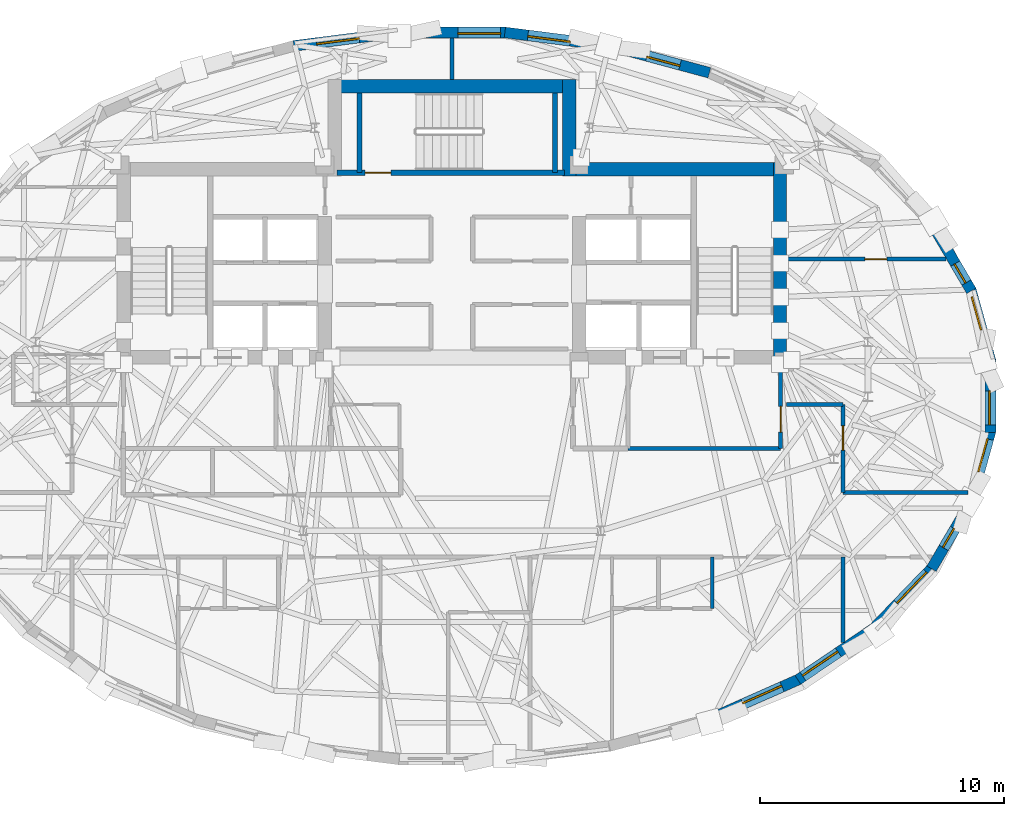
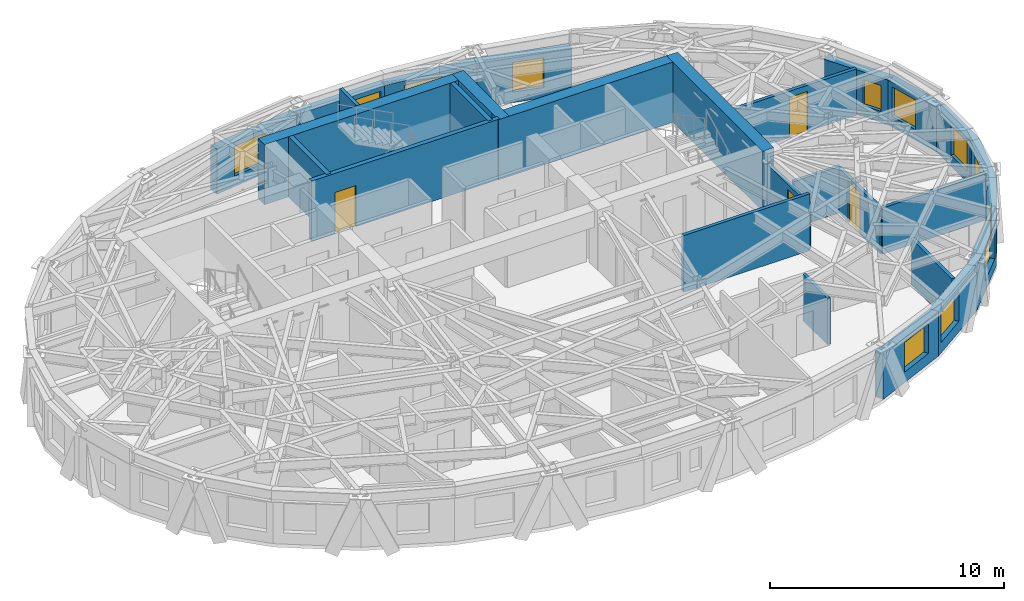
# One storey, part 9 of 13: 28 walls, 12 windows, 4 doors, 16 openings.
"""IFC4 building model written with IfcOpenShell, lengths in metres."""

from ifc_helpers import new_model, si_unit, direction, frame, frame_2d, origin, place, context, subcontext, project, spatial, rectangle, extrude, material, layer, layer_set, type_object, element, fill, save


model = new_model("IFC4")

# Units and contexts
model_context = context("Model", 3, precision=1e-05, world=origin(), true_north=direction((0.0, 1.0)))
body_context = subcontext(model_context, "Body", "Model", "MODEL_VIEW")
ifc_project = project(units=[si_unit("LENGTHUNIT", "METRE"), si_unit("AREAUNIT", "SQUARE_METRE"), si_unit("VOLUMEUNIT", "CUBIC_METRE"), si_unit("PLANEANGLEUNIT", "RADIAN"), si_unit("MASSUNIT", "GRAM", prefix="KILO")], contexts=[model_context])

# Site, building, storey
site_placement = place(None, origin())
site = spatial("IfcSite", under=ifc_project, at=site_placement, CompositionType="ELEMENT")
building_placement = place(site_placement, origin())
building = spatial("IfcBuilding", under=site, at=building_placement, Name="Keldmark Tower", CompositionType="ELEMENT")
storey_placement = place(building_placement, frame((0.0, 0.0, 232.050048828125)))
storey = spatial("IfcBuildingStorey", under=building, at=storey_placement, Name="L65", CompositionType="ELEMENT", Elevation=232.050048828125)

# Walls
ifc_material_1 = material(Name="Concrete C50/60", Category="concrete")
ifc_layer_1 = layer(ifc_material_1, 0.550048828125)
ifc_layer_set_1 = layer_set([ifc_layer_1], Name="Concrete C50/60")
wall_type_1 = type_object("IfcWallType", Name="High-Rise Core Shear Wall 550 mm", PredefinedType="SHEAR", material=ifc_layer_set_1)
wall_1_placement = place(storey_placement, frame((13.425048828125, 1.300048828125, 0.0), z_axis=(0.0, 0.0, 1.0), x_axis=(0.0, 1.0, 0.0)))
element("IfcWall", 1, at=wall_1_placement, inside=storey, type_object=wall_type_1, Name="L65 East Core Outer Shear Wall", PredefinedType="SHEAR", context=body_context, shape_type="SweptSolid", body=[
    extrude(rectangle(XDim=8.25, YDim=0.550048828125, at=frame_2d((4.125, 0.0))), origin(), (0.0, 0.0, 1.0), 3.14990234375),
])
wall_2_placement = place(storey_placement, frame((4.52490234375, 9.27490234375, 0.0), z_axis=(0.0, 0.0, 1.0), x_axis=(1.0, 0.0, 0.0)))
element("IfcWall", 2, at=wall_2_placement, inside=storey, type_object=wall_type_1, Name="L65 East Core North Shear Wall", PredefinedType="SHEAR", context=body_context, shape_type="SweptSolid", body=[
    extrude(rectangle(XDim=9.175048828125, YDim=0.550048828125, at=frame_2d((4.58740234375, 0.0))), origin(), (0.0, 0.0, 1.0), 3.14990234375),
])
wall_3_placement = place(storey_placement, frame((-5.074951171875, 12.675048828125, 0.0), z_axis=(0.0, 0.0, 1.0), x_axis=(1.0, 0.0, 0.0)))
element("IfcWall", 3, at=wall_3_placement, inside=storey, type_object=wall_type_1, Name="L65 North Core Shear Wall", PredefinedType="SHEAR", context=body_context, shape_type="SweptSolid", body=[
    extrude(rectangle(XDim=10.14990234375, YDim=0.550048828125, at=frame_2d((5.074951171875, 0.0))), origin(), (0.0, 0.0, 1.0), 3.14990234375),
])
wall_4_placement = place(storey_placement, frame((4.800048828125, 9.0, 0.0), z_axis=(0.0, 0.0, 1.0), x_axis=(0.0, 1.0, 0.0)))
element("IfcWall", 4, at=wall_4_placement, inside=storey, type_object=wall_type_1, Name="L65 North Core East Shear Wall", PredefinedType="SHEAR", context=body_context, shape_type="SweptSolid", body=[
    extrude(rectangle(XDim=3.949951171875, YDim=0.550048828125, at=frame_2d((1.97509765625, 0.0))), origin(), (0.0, 0.0, 1.0), 3.14990234375),
])
ifc_material_2 = material(Name="Type X Fire-Rated Gypsum Partition Assembly", Category="gypsum")
ifc_layer_2 = layer(ifc_material_2, 0.1650390625)
ifc_layer_set_2 = layer_set([ifc_layer_2], Name="Type X Fire-Rated Gypsum Partition Assembly")
wall_type_2 = type_object("IfcWallType", Name="Rated Partition 165 mm", PredefinedType="PARTITIONING", material=ifc_layer_set_2)
wall_5_placement = place(storey_placement, frame((7.199951171875, -2.14990234375, 0.0), z_axis=(0.0, 0.0, 1.0), x_axis=(1.0, 0.0, 0.0)))
element("IfcWall", 5, at=wall_5_placement, inside=storey, type_object=wall_type_2, Name="L65 Rated Partition 165 mm FSAE-E-S", PredefinedType="PARTITIONING", context=body_context, shape_type="SweptSolid", body=[
    extrude(rectangle(XDim=6.25, YDim=0.1650390625, at=frame_2d((3.125, 0.0))), origin(), (0.0, 0.0, 1.0), 2.969970703125),
])

# Wall, opening, door
wall_6_placement = place(storey_placement, frame((13.449951171875, -2.14990234375, 0.0), z_axis=(0.0, 0.0, 1.0), x_axis=(0.0, 1.0, 0.0)))
wall_6 = element("IfcWall", 6, at=wall_6_placement, inside=storey, type_object=wall_type_2, Name="L65 Rated Partition 165 mm FSAE-E-E", PredefinedType="PARTITIONING", context=body_context, shape_type="SweptSolid", body=[
    extrude(rectangle(XDim=3.5, YDim=0.1650390625, at=frame_2d((1.75, 0.0))), origin(), (0.0, 0.0, 1.0), 2.4228515625),
])
opening_1_placement = place(wall_6_placement, frame((0.669921875, 0.0, 0.0)))
opening_1 = element("IfcOpeningElement", 7, at=opening_1_placement, cuts=wall_6, Name="Opening D-FL105", PredefinedType="OPENING", context=body_context, shape_type="SweptSolid", body=[
    extrude(rectangle(XDim=1.050048828125, YDim=2.14990234375, at=frame_2d((0.52490234375, 1.074951171875))), frame((0.0, 0.092529296875, 0.0), z_axis=(0.0, -1.0, 0.0), x_axis=(1.0, 0.0, 0.0)), (0.0, 0.0, 1.0), 0.18505859375),
])
ifc_material_3 = material(Name="Fire-Rated Mineral-Core Door and Vision Lite", Category="metal")
door_type_1 = type_object("IfcDoorType", Name="Fire Lobby Door 1050x2150", OperationType="NOTDEFINED", PredefinedType="DOOR", material=ifc_material_3)
door_1_placement = place(opening_1_placement, origin())
door_1 = element("IfcDoor", 8, at=door_1_placement, inside=storey, type_object=door_type_1, Name="L65 Fire Lobby Door 1050x2150 D-FSAEE-OUT-L65", OperationType="SINGLE_SWING_RIGHT", OverallHeight=2.14990234375, OverallWidth=1.050048828125, PredefinedType="DOOR", context=body_context, shape_type="SweptSolid", body=[
    extrude(rectangle(XDim=1.050048828125, YDim=2.14990234375, at=frame_2d((0.52490234375, 1.074951171875))), frame((0.0, 0.02490234375, 0.0), z_axis=(0.0, -1.0, 0.0), x_axis=(1.0, 0.0, 0.0)), (0.0, 0.0, 1.0), 0.050048828125),
])
fill(opening_1, door_1)

# Wall
wall_7_placement = place(storey_placement, frame((16.0, -3.949951171875, 0.0), z_axis=(0.0, 0.0, 1.0), x_axis=(1.0, 0.0, 0.0)))
element("IfcWall", 9, at=wall_7_placement, inside=storey, type_object=wall_type_2, Name="L65 Rated Partition 165 mm RCOR-EN-OUT", PredefinedType="PARTITIONING", context=body_context, shape_type="SweptSolid", body=[
    extrude(rectangle(XDim=5.10986328125, YDim=0.1650390625, at=frame_2d((2.554931640625, 0.0))), origin(), (0.0, 0.0, 1.0), 2.4228515625),
])

# Wall, opening, door
wall_8_placement = place(storey_placement, frame((16.0, -3.949951171875, 0.0), z_axis=(0.0, 0.0, 1.0), x_axis=(0.0, 1.0, 0.0)))
wall_8 = element("IfcWall", 10, at=wall_8_placement, inside=storey, type_object=wall_type_2, Name="L65 Rated Partition 165 mm RCOR-VE", PredefinedType="PARTITIONING", context=body_context, shape_type="SweptSolid", body=[
    extrude(rectangle(XDim=3.599853515625, YDim=0.1650390625, at=frame_2d((1.7998046875, 0.0))), origin(), (0.0, 0.0, 1.0), 2.35693359375),
])
opening_2_placement = place(wall_8_placement, frame((1.72998046875, 0.0, 0.0)))
opening_2 = element("IfcOpeningElement", 11, at=opening_2_placement, cuts=wall_8, Name="Opening D-FD100", PredefinedType="OPENING", context=body_context, shape_type="SweptSolid", body=[
    extrude(rectangle(XDim=1.0, YDim=2.14990234375, at=frame_2d((0.5, 1.074951171875))), frame((0.0, 0.092529296875, 0.0), z_axis=(0.0, -1.0, 0.0), x_axis=(1.0, 0.0, 0.0)), (0.0, 0.0, 1.0), 0.18505859375),
])
ifc_material_4 = material(Name="Hollow Metal Fire-Rated Corridor Door", Category="metal")
door_type_2 = type_object("IfcDoorType", Name="Fire Door 1000x2150", OperationType="NOTDEFINED", PredefinedType="DOOR", material=ifc_material_4)
door_2_placement = place(opening_2_placement, origin())
door_2 = element("IfcDoor", 12, at=door_2_placement, inside=storey, type_object=door_type_2, Name="L65 Fire Door 1000x2150 D-REM1-L65", OperationType="SINGLE_SWING_RIGHT", OverallHeight=2.14990234375, OverallWidth=1.0, PredefinedType="DOOR", context=body_context, shape_type="SweptSolid", body=[
    extrude(rectangle(XDim=1.0, YDim=2.14990234375, at=frame_2d((0.5, 1.074951171875))), frame((0.0, 0.02490234375, 0.0), z_axis=(0.0, -1.0, 0.0), x_axis=(1.0, 0.0, 0.0)), (0.0, 0.0, 1.0), 0.050048828125),
])
fill(opening_2, door_2)

# Walls
wall_9_placement = place(storey_placement, frame((13.699951171875, -0.35009765625, 0.0), z_axis=(0.0, 0.0, 1.0), x_axis=(1.0, 0.0, 0.0)))
element("IfcWall", 13, at=wall_9_placement, inside=storey, type_object=wall_type_2, Name="L65 Rated Partition 165 mm RCOR-VEN", PredefinedType="PARTITIONING", context=body_context, shape_type="SweptSolid", body=[
    extrude(rectangle(XDim=2.300048828125, YDim=0.1650390625, at=frame_2d((1.14990234375, 0.0))), origin(), (0.0, 0.0, 1.0), 2.4228515625),
])
wall_10_placement = place(storey_placement, frame((0.0, 12.949951171875, 0.0), z_axis=(0.0, 0.0, 1.0), x_axis=(0.0, 1.0, 0.0)))
element("IfcWall", 14, at=wall_10_placement, inside=storey, type_object=wall_type_2, Name="L65 Rated Partition 165 mm RN-DIV", PredefinedType="PARTITIONING", context=body_context, shape_type="SweptSolid", body=[
    extrude(rectangle(XDim=1.69677734375, YDim=0.1650390625, at=frame_2d((0.848388671875, 0.0))), origin(), (0.0, 0.0, 1.0), 2.969970703125),
])

# Wall, opening, door
wall_11_placement = place(storey_placement, frame((13.699951171875, 5.60009765625, 0.0), z_axis=(0.0, 0.0, 1.0), x_axis=(1.0, 0.0, 0.0)))
wall_11 = element("IfcWall", 15, at=wall_11_placement, inside=storey, type_object=wall_type_2, Name="L65 Rated Partition 165 mm RE-NDIV", PredefinedType="PARTITIONING", context=body_context, shape_type="SweptSolid", body=[
    extrude(rectangle(XDim=6.527099609375, YDim=0.1650390625, at=frame_2d((3.263671875, 0.0))), origin(), (0.0, 0.0, 1.0), 2.4228515625),
])
opening_3_placement = place(wall_11_placement, frame((3.198974609375, 0.0, 0.0)))
opening_3 = element("IfcOpeningElement", 16, at=opening_3_placement, cuts=wall_11, Name="Opening D-IN090", PredefinedType="OPENING", context=body_context, shape_type="SweptSolid", body=[
    extrude(rectangle(XDim=0.89990234375, YDim=2.10009765625, at=frame_2d((0.449951171875, 1.050048828125))), frame((0.0, 0.092529296875, 0.0), z_axis=(0.0, -1.0, 0.0), x_axis=(1.0, 0.0, 0.0)), (0.0, 0.0, 1.0), 0.18505859375),
])
ifc_material_5 = material(Name="Stained American White Oak Veneer", Category="wood")
door_type_3 = type_object("IfcDoorType", Name="Interior Door 900x2100", OperationType="NOTDEFINED", PredefinedType="DOOR", material=ifc_material_5)
door_3_placement = place(opening_3_placement, origin())
door_3 = element("IfcDoor", 17, at=door_3_placement, inside=storey, type_object=door_type_3, Name="L65 Interior Door 900x2100 D-REN1-L65", OperationType="SINGLE_SWING_LEFT", OverallHeight=2.10009765625, OverallWidth=0.89990234375, PredefinedType="DOOR", context=body_context, shape_type="SweptSolid", body=[
    extrude(rectangle(XDim=0.89990234375, YDim=2.10009765625, at=frame_2d((0.449951171875, 1.050048828125))), frame((0.0, 0.02490234375, 0.0), z_axis=(0.0, -1.0, 0.0), x_axis=(1.0, 0.0, 0.0)), (0.0, 0.0, 1.0), 0.050048828125),
])
fill(opening_3, door_3)

# Wall
wall_12_placement = place(storey_placement, frame((16.0, -10.09521484375, 0.0), z_axis=(0.0, 0.0, 1.0), x_axis=(0.0, 1.0, 0.0)))
element("IfcWall", 18, at=wall_12_placement, inside=storey, type_object=wall_type_2, Name="L65 Rated Partition 165 mm RS-ECAP", PredefinedType="PARTITIONING", context=body_context, shape_type="SweptSolid", body=[
    extrude(rectangle(XDim=3.4951171875, YDim=0.1650390625, at=frame_2d((1.74755859375, 0.0))), origin(), (0.0, 0.0, 1.0), 2.4228515625),
])

# Wall, opening, door
ifc_material_6 = material(Name="Concrete C50/60", Category="concrete")
ifc_layer_3 = layer(ifc_material_6, 0.219970703125)
ifc_layer_set_3 = layer_set([ifc_layer_3], Name="Concrete C50/60")
wall_type_3 = type_object("IfcWallType", Name="Stair Core Shear Wall 220 mm", PredefinedType="SHEAR", material=ifc_layer_set_3)
wall_13_placement = place(storey_placement, frame((-4.699951171875, 9.139892578125, 0.0), z_axis=(0.0, 0.0, 1.0), x_axis=(1.0, 0.0, 0.0)))
wall_13 = element("IfcWall", 19, at=wall_13_placement, inside=storey, type_object=wall_type_3, Name="L65 Central Stair Core South Shear Wall", PredefinedType="SHEAR", context=body_context, shape_type="SweptSolid", body=[
    extrude(rectangle(XDim=9.300048828125, YDim=0.219970703125, at=frame_2d((4.64990234375, 0.0))), origin(), (0.0, 0.0, 1.0), 3.14990234375),
])
opening_4_placement = place(wall_13_placement, frame((1.14990234375, 0.0, 0.0)))
opening_4 = element("IfcOpeningElement", 20, at=opening_4_placement, cuts=wall_13, Name="Opening D-ST105", PredefinedType="OPENING", context=body_context, shape_type="SweptSolid", body=[
    extrude(rectangle(XDim=1.050048828125, YDim=2.14990234375, at=frame_2d((0.52490234375, 1.074951171875))), frame((0.0, 0.119873046875, 0.0), z_axis=(0.0, -1.0, 0.0), x_axis=(1.0, 0.0, 0.0)), (0.0, 0.0, 1.0), 0.239990234375),
])
ifc_material_7 = material(Name="Hollow Metal Fire-Rated Door Assembly", Category="metal")
door_type_4 = type_object("IfcDoorType", Name="Stair Fire Door 1050x2150", OperationType="NOTDEFINED", PredefinedType="DOOR", material=ifc_material_7)
door_4_placement = place(opening_4_placement, origin())
door_4 = element("IfcDoor", 21, at=door_4_placement, inside=storey, type_object=door_type_4, Name="L65 Stair Fire Door 1050x2150 D-ST3-L65", OperationType="SINGLE_SWING_LEFT", OverallHeight=2.14990234375, OverallWidth=1.050048828125, PredefinedType="DOOR", context=body_context, shape_type="SweptSolid", body=[
    extrude(rectangle(XDim=1.050048828125, YDim=2.14990234375, at=frame_2d((0.52490234375, 1.074951171875))), frame((0.0, 0.02490234375, 0.0), z_axis=(0.0, -1.0, 0.0), x_axis=(1.0, 0.0, 0.0)), (0.0, 0.0, 1.0), 0.050048828125),
])
fill(opening_4, door_4)

# Walls
for number, where, z_axis, x_axis, name in (
    (22, (-3.784912109375, 9.139892578125, 0.0), (0.0, 0.0, 1.0), (0.0, 1.0, 0.0), "L65 Central Stair Core West Shear Wall"),
    (23, (4.215087890625, 9.139892578125, 0.0), (0.0, 0.0, 1.0), (0.0, 1.0, 0.0), "L65 Central Stair Core East Shear Wall"),
):
    element("IfcWall", number, at=place(storey_placement, frame(where, z_axis=z_axis, x_axis=x_axis)), inside=storey, type_object=wall_type_3, Name=name, PredefinedType="SHEAR", context=body_context, shape_type="SweptSolid", body=[
        extrude(rectangle(XDim=3.260009765625, YDim=0.219970703125, at=frame_2d((1.6298828125, 0.0))), origin(), (0.0, 0.0, 1.0), 3.14990234375),
    ])

# Wall, opening, window
ifc_material_8 = material(Name="Ironspot Manganese Brick and Kasota Buff Limestone Spandrel Assembly", Category="masonry")
ifc_layer_4 = layer(ifc_material_8, 0.43994140625)
ifc_layer_set_4 = layer_set([ifc_layer_4], Name="Ironspot Manganese Brick and Kasota Buff Limestone Spandrel Assembly")
wall_type_4 = type_object("IfcWallType", Name="Tower Brick Pier and Spandrel Wall 440 mm", PredefinedType="STANDARD", material=ifc_layer_set_4)
wall_14_placement = place(storey_placement, frame((21.234619140625, 4.352783203125, 0.0), z_axis=(0.0, 0.0, 1.0), x_axis=(0.267714373586, -0.963498320795, 0.0)))
wall_14 = element("IfcWall", 24, at=wall_14_placement, inside=storey, type_object=wall_type_4, Name="L65 Exterior Brick and Spandrel Wall 01", PredefinedType="STANDARD", context=body_context, shape_type="SweptSolid", body=[
    extrude(rectangle(XDim=3.035888671875, YDim=0.43994140625, at=frame_2d((1.51806640625, 0.0))), origin(), (0.0, 0.0, 1.0), 2.3359375),
])
opening_5_placement = place(wall_14_placement, frame((0.298828125, 0.0, 0.550048828125)))
opening_5 = element("IfcOpeningElement", 25, at=opening_5_placement, cuts=wall_14, Name="Opening W-08", PredefinedType="OPENING", context=body_context, shape_type="SweptSolid", body=[
    extrude(rectangle(XDim=1.39990234375, YDim=1.550048828125, at=frame_2d((0.699951171875, 0.77490234375))), frame((0.0, 0.22998046875, 0.0), z_axis=(0.0, -1.0, 0.0), x_axis=(1.0, 0.0, 0.0)), (0.0, 0.0, 1.0), 0.4599609375),
])
ifc_material_9 = material(Name="Thermally Broken Anodized Aluminum and Triple Low-E Argon Glazing", Category="aluminium")
window_type_1 = type_object("IfcWindowType", Name="Residential Corner Punched Window 1400x1550", PartitioningType="SINGLE_PANEL", PredefinedType="WINDOW", material=ifc_material_9)
window_1_placement = place(opening_5_placement, origin())
window_1 = element("IfcWindow", 26, at=window_1_placement, inside=storey, type_object=window_type_1, Name="L65 Deep-Set Window 01", OverallHeight=1.550048828125, OverallWidth=1.39990234375, PartitioningType="SINGLE_PANEL", PredefinedType="WINDOW", context=body_context, shape_type="SweptSolid", body=[
    extrude(rectangle(XDim=1.39990234375, YDim=1.550048828125, at=frame_2d((0.699951171875, 0.77490234375))), frame((0.0, -0.010009765625, 0.0), z_axis=(0.0, -1.0, 0.0), x_axis=(1.0, 0.0, 0.0)), (0.0, 0.0, 1.0), 0.06005859375),
])
fill(opening_5, window_1)

wall_15_placement = place(storey_placement, frame((19.625732421875, 7.07080078125, 0.0), z_axis=(0.0, 0.0, 1.0), x_axis=(0.507308799926, -0.861764342218, 0.0)))
wall_15 = element("IfcWall", 27, at=wall_15_placement, inside=storey, type_object=wall_type_4, Name="L65 Exterior Brick and Spandrel Wall 02", PredefinedType="STANDARD", context=body_context, shape_type="SweptSolid", body=[
    extrude(rectangle(XDim=3.215087890625, YDim=0.43994140625, at=frame_2d((1.607421875, 0.0))), origin(), (0.0, 0.0, 1.0), 2.3359375),
])
opening_6_placement = place(wall_15_placement, frame((1.918701171875, 0.0, 0.580078125)))
opening_6 = element("IfcOpeningElement", 28, at=opening_6_placement, cuts=wall_15, Name="Opening W-09", PredefinedType="OPENING", context=body_context, shape_type="SweptSolid", body=[
    extrude(rectangle(XDim=0.89990234375, YDim=1.35009765625, at=frame_2d((0.449951171875, 0.675048828125))), frame((0.0, 0.22998046875, 0.0), z_axis=(0.0, -1.0, 0.0), x_axis=(1.0, 0.0, 0.0)), (0.0, 0.0, 1.0), 0.4599609375),
])
ifc_material_10 = material(Name="Thermally Broken Anodized Aluminum and Triple Low-E Argon Glazing", Category="aluminium")
window_type_2 = type_object("IfcWindowType", Name="Corner Pier Deep-Set Window 900x1350", PartitioningType="SINGLE_PANEL", PredefinedType="WINDOW", material=ifc_material_10)
window_2_placement = place(opening_6_placement, origin())
window_2 = element("IfcWindow", 29, at=window_2_placement, inside=storey, type_object=window_type_2, Name="L65 Deep-Set Window 02", OverallHeight=1.35009765625, OverallWidth=0.89990234375, PartitioningType="SINGLE_PANEL", PredefinedType="WINDOW", context=body_context, shape_type="SweptSolid", body=[
    extrude(rectangle(XDim=0.89990234375, YDim=1.35009765625, at=frame_2d((0.449951171875, 0.675048828125))), frame((0.0, -0.010009765625, 0.0), z_axis=(0.0, -1.0, 0.0), x_axis=(1.0, 0.0, 0.0)), (0.0, 0.0, 1.0), 0.06005859375),
])
fill(opening_6, window_2)

wall_16_placement = place(storey_placement, frame((6.4482421875, 14.331298828125, 0.0), z_axis=(0.0, 0.0, 1.0), x_axis=(0.965250622562, -0.261325918429, 0.0)))
wall_16 = element("IfcWall", 30, at=wall_16_placement, inside=storey, type_object=wall_type_4, Name="L65 Exterior Brick and Spandrel Wall 06", PredefinedType="STANDARD", context=body_context, shape_type="SweptSolid", body=[
    extrude(rectangle(XDim=4.233154296875, YDim=0.43994140625, at=frame_2d((2.11669921875, 0.0))), origin(), (0.0, 0.0, 1.0), 2.3359375),
])
opening_7_placement = place(wall_16_placement, frame((1.59033203125, 0.0, 0.550048828125)))
opening_7 = element("IfcOpeningElement", 31, at=opening_7_placement, cuts=wall_16, Name="Opening W-08", PredefinedType="OPENING", context=body_context, shape_type="SweptSolid", body=[
    extrude(rectangle(XDim=1.39990234375, YDim=1.550048828125, at=frame_2d((0.699951171875, 0.77490234375))), frame((0.0, 0.22998046875, 0.0), z_axis=(0.0, -1.0, 0.0), x_axis=(1.0, 0.0, 0.0)), (0.0, 0.0, 1.0), 0.4599609375),
])
window_3_placement = place(opening_7_placement, origin())
window_3 = element("IfcWindow", 32, at=window_3_placement, inside=storey, type_object=window_type_1, Name="L65 Deep-Set Window 06", OverallHeight=1.550048828125, OverallWidth=1.39990234375, PartitioningType="SINGLE_PANEL", PredefinedType="WINDOW", context=body_context, shape_type="SweptSolid", body=[
    extrude(rectangle(XDim=1.39990234375, YDim=1.550048828125, at=frame_2d((0.699951171875, 0.77490234375))), frame((0.0, -0.010009765625, 0.0), z_axis=(0.0, -1.0, 0.0), x_axis=(1.0, 0.0, 0.0)), (0.0, 0.0, 1.0), 0.06005859375),
])
fill(opening_7, window_3)

wall_17_placement = place(storey_placement, frame((2.164306640625, 14.876708984375, 0.0), z_axis=(0.0, 0.0, 1.0), x_axis=(0.991932064275, -0.126770579643, 0.0)))
wall_17 = element("IfcWall", 33, at=wall_17_placement, inside=storey, type_object=wall_type_4, Name="L65 Exterior Brick and Spandrel Wall 07", PredefinedType="STANDARD", context=body_context, shape_type="SweptSolid", body=[
    extrude(rectangle(XDim=4.3486328125, YDim=0.43994140625, at=frame_2d((2.17431640625, 0.0))), origin(), (0.0, 0.0, 1.0), 2.3359375),
])
opening_8_placement = place(wall_17_placement, frame((0.949462890625, 0.0, 0.550048828125)))
opening_8 = element("IfcOpeningElement", 34, at=opening_8_placement, cuts=wall_17, Name="Opening W-05", PredefinedType="OPENING", context=body_context, shape_type="SweptSolid", body=[
    extrude(rectangle(XDim=1.75, YDim=1.550048828125, at=frame_2d((0.875, 0.77490234375))), frame((0.0, 0.22998046875, 0.0), z_axis=(0.0, -1.0, 0.0), x_axis=(1.0, 0.0, 0.0)), (0.0, 0.0, 1.0), 0.4599609375),
])
ifc_material_11 = material(Name="Thermally Broken Anodized Aluminum and Triple Low-E Argon Glazing", Category="aluminium")
window_type_3 = type_object("IfcWindowType", Name="Residential Deep-Set Window 1750x1550", PartitioningType="DOUBLE_PANEL_VERTICAL", PredefinedType="WINDOW", material=ifc_material_11)
window_4_placement = place(opening_8_placement, origin())
window_4 = element("IfcWindow", 35, at=window_4_placement, inside=storey, type_object=window_type_3, Name="L65 Deep-Set Window 07", OverallHeight=1.550048828125, OverallWidth=1.75, PartitioningType="SINGLE_PANEL", PredefinedType="WINDOW", context=body_context, shape_type="SweptSolid", body=[
    extrude(rectangle(XDim=1.75, YDim=1.550048828125, at=frame_2d((0.875, 0.77490234375))), frame((0.0, -0.010009765625, 0.0), z_axis=(0.0, -1.0, 0.0), x_axis=(1.0, 0.0, 0.0)), (0.0, 0.0, 1.0), 0.06005859375),
])
fill(opening_8, window_4)

wall_18_placement = place(storey_placement, frame((-2.1923828125, 14.874755859375, 0.0), z_axis=(0.0, 0.0, 1.0), x_axis=(1.0, 0.0, 0.0)))
wall_18 = element("IfcWall", 36, at=wall_18_placement, inside=storey, type_object=wall_type_4, Name="L65 Exterior Brick and Spandrel Wall 08", PredefinedType="STANDARD", context=body_context, shape_type="SweptSolid", body=[
    extrude(rectangle(XDim=4.384765625, YDim=0.43994140625, at=frame_2d((2.1923828125, 0.0))), origin(), (0.0, 0.0, 1.0), 2.3359375),
])
opening_9_placement = place(wall_18_placement, frame((2.4345703125, 0.0, 0.550048828125)))
opening_9 = element("IfcOpeningElement", 37, at=opening_9_placement, cuts=wall_18, Name="Opening W-05", PredefinedType="OPENING", context=body_context, shape_type="SweptSolid", body=[
    extrude(rectangle(XDim=1.75, YDim=1.550048828125, at=frame_2d((0.875, 0.77490234375))), frame((0.0, 0.22998046875, 0.0), z_axis=(0.0, -1.0, 0.0), x_axis=(1.0, 0.0, 0.0)), (0.0, 0.0, 1.0), 0.4599609375),
])
window_5_placement = place(opening_9_placement, origin())
window_5 = element("IfcWindow", 38, at=window_5_placement, inside=storey, type_object=window_type_3, Name="L65 Deep-Set Window 08", OverallHeight=1.550048828125, OverallWidth=1.75, PartitioningType="SINGLE_PANEL", PredefinedType="WINDOW", context=body_context, shape_type="SweptSolid", body=[
    extrude(rectangle(XDim=1.75, YDim=1.550048828125, at=frame_2d((0.875, 0.77490234375))), frame((0.0, -0.010009765625, 0.0), z_axis=(0.0, -1.0, 0.0), x_axis=(1.0, 0.0, 0.0)), (0.0, 0.0, 1.0), 0.06005859375),
])
fill(opening_9, window_5)

wall_19_placement = place(storey_placement, frame((-6.477783203125, 14.325439453125, 0.0), z_axis=(0.0, 0.0, 1.0), x_axis=(0.991932064275, 0.126770579643, 0.0)))
wall_19 = element("IfcWall", 39, at=wall_19_placement, inside=storey, type_object=wall_type_4, Name="L65 Exterior Brick and Spandrel Wall 09", PredefinedType="STANDARD", context=body_context, shape_type="SweptSolid", body=[
    extrude(rectangle(XDim=4.3486328125, YDim=0.43994140625, at=frame_2d((2.17431640625, 0.0))), origin(), (0.0, 0.0, 1.0), 2.3359375),
])
opening_10_placement = place(wall_19_placement, frame((0.949462890625, 0.0, 0.550048828125)))
opening_10 = element("IfcOpeningElement", 40, at=opening_10_placement, cuts=wall_19, Name="Opening W-05", PredefinedType="OPENING", context=body_context, shape_type="SweptSolid", body=[
    extrude(rectangle(XDim=1.75, YDim=1.550048828125, at=frame_2d((0.875, 0.77490234375))), frame((0.0, 0.22998046875, 0.0), z_axis=(0.0, -1.0, 0.0), x_axis=(1.0, 0.0, 0.0)), (0.0, 0.0, 1.0), 0.4599609375),
])
window_6_placement = place(opening_10_placement, origin())
window_6 = element("IfcWindow", 41, at=window_6_placement, inside=storey, type_object=window_type_3, Name="L65 Deep-Set Window 09", OverallHeight=1.550048828125, OverallWidth=1.75, PartitioningType="SINGLE_PANEL", PredefinedType="WINDOW", context=body_context, shape_type="SweptSolid", body=[
    extrude(rectangle(XDim=1.75, YDim=1.550048828125, at=frame_2d((0.875, 0.77490234375))), frame((0.0, -0.010009765625, 0.0), z_axis=(0.0, -1.0, 0.0), x_axis=(1.0, 0.0, 0.0)), (0.0, 0.0, 1.0), 0.06005859375),
])
fill(opening_10, window_6)

wall_20_placement = place(storey_placement, frame((14.19287109375, -11.600341796875, 0.0), z_axis=(0.0, 0.0, 1.0), x_axis=(-0.914197700285, -0.405268509501, 0.0)))
wall_20 = element("IfcWall", 42, at=wall_20_placement, inside=storey, type_object=wall_type_4, Name="L65 Exterior Brick and Spandrel Wall 27", PredefinedType="STANDARD", context=body_context, shape_type="SweptSolid", body=[
    extrude(rectangle(XDim=4.036865234375, YDim=0.43994140625, at=frame_2d((2.0185546875, 0.0))), origin(), (0.0, 0.0, 1.0), 2.3359375),
])
opening_11_placement = place(wall_20_placement, frame((0.74609375, 0.0, 0.550048828125)))
opening_11 = element("IfcOpeningElement", 43, at=opening_11_placement, cuts=wall_20, Name="Opening W-05", PredefinedType="OPENING", context=body_context, shape_type="SweptSolid", body=[
    extrude(rectangle(XDim=1.75, YDim=1.550048828125, at=frame_2d((0.875, 0.77490234375))), frame((0.0, 0.22998046875, 0.0), z_axis=(0.0, -1.0, 0.0), x_axis=(1.0, 0.0, 0.0)), (0.0, 0.0, 1.0), 0.4599609375),
])
window_7_placement = place(opening_11_placement, origin())
window_7 = element("IfcWindow", 44, at=window_7_placement, inside=storey, type_object=window_type_3, Name="L65 Deep-Set Window 27", OverallHeight=1.550048828125, OverallWidth=1.75, PartitioningType="SINGLE_PANEL", PredefinedType="WINDOW", context=body_context, shape_type="SweptSolid", body=[
    extrude(rectangle(XDim=1.75, YDim=1.550048828125, at=frame_2d((0.875, 0.77490234375))), frame((0.0, -0.010009765625, 0.0), z_axis=(0.0, -1.0, 0.0), x_axis=(1.0, 0.0, 0.0)), (0.0, 0.0, 1.0), 0.06005859375),
])
fill(opening_11, window_7)

wall_21_placement = place(storey_placement, frame((17.279296875, -9.503173828125, 0.0), z_axis=(0.0, 0.0, 1.0), x_axis=(-0.827641205742, -0.56125754744, 0.0)))
wall_21 = element("IfcWall", 45, at=wall_21_placement, inside=storey, type_object=wall_type_4, Name="L65 Exterior Brick and Spandrel Wall 28", PredefinedType="STANDARD", context=body_context, shape_type="SweptSolid", body=[
    extrude(rectangle(XDim=3.7705078125, YDim=0.43994140625, at=frame_2d((1.88525390625, 0.0))), origin(), (0.0, 0.0, 1.0), 2.3359375),
])
opening_12_placement = place(wall_21_placement, frame((1.771484375, 0.0, 0.550048828125)))
opening_12 = element("IfcOpeningElement", 46, at=opening_12_placement, cuts=wall_21, Name="Opening W-05", PredefinedType="OPENING", context=body_context, shape_type="SweptSolid", body=[
    extrude(rectangle(XDim=1.75, YDim=1.550048828125, at=frame_2d((0.875, 0.77490234375))), frame((0.0, 0.22998046875, 0.0), z_axis=(0.0, -1.0, 0.0), x_axis=(1.0, 0.0, 0.0)), (0.0, 0.0, 1.0), 0.4599609375),
])
window_8_placement = place(opening_12_placement, origin())
window_8 = element("IfcWindow", 47, at=window_8_placement, inside=storey, type_object=window_type_3, Name="L65 Deep-Set Window 28", OverallHeight=1.550048828125, OverallWidth=1.75, PartitioningType="SINGLE_PANEL", PredefinedType="WINDOW", context=body_context, shape_type="SweptSolid", body=[
    extrude(rectangle(XDim=1.75, YDim=1.550048828125, at=frame_2d((0.875, 0.77490234375))), frame((0.0, -0.010009765625, 0.0), z_axis=(0.0, -1.0, 0.0), x_axis=(1.0, 0.0, 0.0)), (0.0, 0.0, 1.0), 0.06005859375),
])
fill(opening_12, window_8)

wall_22_placement = place(storey_placement, frame((19.656982421875, -7.02978515625, 0.0), z_axis=(0.0, 0.0, 1.0), x_axis=(-0.694030285144, -0.71994580581, 0.0)))
wall_22 = element("IfcWall", 48, at=wall_22_placement, inside=storey, type_object=wall_type_4, Name="L65 Exterior Brick and Spandrel Wall 29", PredefinedType="STANDARD", context=body_context, shape_type="SweptSolid", body=[
    extrude(rectangle(XDim=3.476318359375, YDim=0.43994140625, at=frame_2d((1.73828125, 0.0))), origin(), (0.0, 0.0, 1.0), 2.3359375),
])
opening_13_placement = place(wall_22_placement, frame((0.298095703125, 0.0, 0.550048828125)))
opening_13 = element("IfcOpeningElement", 49, at=opening_13_placement, cuts=wall_22, Name="Opening W-05", PredefinedType="OPENING", context=body_context, shape_type="SweptSolid", body=[
    extrude(rectangle(XDim=1.75, YDim=1.550048828125, at=frame_2d((0.875, 0.77490234375))), frame((0.0, 0.22998046875, 0.0), z_axis=(0.0, -1.0, 0.0), x_axis=(1.0, 0.0, 0.0)), (0.0, 0.0, 1.0), 0.4599609375),
])
window_9_placement = place(opening_13_placement, origin())
window_9 = element("IfcWindow", 50, at=window_9_placement, inside=storey, type_object=window_type_3, Name="L65 Deep-Set Window 29", OverallHeight=1.550048828125, OverallWidth=1.75, PartitioningType="SINGLE_PANEL", PredefinedType="WINDOW", context=body_context, shape_type="SweptSolid", body=[
    extrude(rectangle(XDim=1.75, YDim=1.550048828125, at=frame_2d((0.875, 0.77490234375))), frame((0.0, -0.010009765625, 0.0), z_axis=(0.0, -1.0, 0.0), x_axis=(1.0, 0.0, 0.0)), (0.0, 0.0, 1.0), 0.06005859375),
])
fill(opening_13, window_9)

wall_23_placement = place(storey_placement, frame((21.2568359375, -4.300048828125, 0.0), z_axis=(0.0, 0.0, 1.0), x_axis=(-0.507308799926, -0.861764342218, 0.0)))
wall_23 = element("IfcWall", 51, at=wall_23_placement, inside=storey, type_object=wall_type_4, Name="L65 Exterior Brick and Spandrel Wall 30", PredefinedType="STANDARD", context=body_context, shape_type="SweptSolid", body=[
    extrude(rectangle(XDim=3.215087890625, YDim=0.43994140625, at=frame_2d((1.607421875, 0.0))), origin(), (0.0, 0.0, 1.0), 2.3359375),
])
opening_14_placement = place(wall_23_placement, frame((1.32958984375, 0.0, 0.580078125)))
opening_14 = element("IfcOpeningElement", 52, at=opening_14_placement, cuts=wall_23, Name="Opening W-09", PredefinedType="OPENING", context=body_context, shape_type="SweptSolid", body=[
    extrude(rectangle(XDim=0.89990234375, YDim=1.35009765625, at=frame_2d((0.449951171875, 0.675048828125))), frame((0.0, 0.22998046875, 0.0), z_axis=(0.0, -1.0, 0.0), x_axis=(1.0, 0.0, 0.0)), (0.0, 0.0, 1.0), 0.4599609375),
])
window_10_placement = place(opening_14_placement, origin())
window_10 = element("IfcWindow", 53, at=window_10_placement, inside=storey, type_object=window_type_2, Name="L65 Deep-Set Window 30", OverallHeight=1.35009765625, OverallWidth=0.89990234375, PartitioningType="SINGLE_PANEL", PredefinedType="WINDOW", context=body_context, shape_type="SweptSolid", body=[
    extrude(rectangle(XDim=0.89990234375, YDim=1.35009765625, at=frame_2d((0.449951171875, 0.675048828125))), frame((0.0, -0.010009765625, 0.0), z_axis=(0.0, -1.0, 0.0), x_axis=(1.0, 0.0, 0.0)), (0.0, 0.0, 1.0), 0.06005859375),
])
fill(opening_14, window_10)

wall_24_placement = place(storey_placement, frame((22.04736328125, -1.427734375, 0.0), z_axis=(0.0, 0.0, 1.0), x_axis=(-0.267714373586, -0.963498320795, 0.0)))
wall_24 = element("IfcWall", 54, at=wall_24_placement, inside=storey, type_object=wall_type_4, Name="L65 Exterior Brick and Spandrel Wall 31", PredefinedType="STANDARD", context=body_context, shape_type="SweptSolid", body=[
    extrude(rectangle(XDim=3.035888671875, YDim=0.43994140625, at=frame_2d((1.51806640625, 0.0))), origin(), (0.0, 0.0, 1.0), 2.3359375),
])
opening_15_placement = place(wall_24_placement, frame((0.348388671875, 0.0, 0.550048828125)))
opening_15 = element("IfcOpeningElement", 55, at=opening_15_placement, cuts=wall_24, Name="Opening W-08", PredefinedType="OPENING", context=body_context, shape_type="SweptSolid", body=[
    extrude(rectangle(XDim=1.39990234375, YDim=1.550048828125, at=frame_2d((0.699951171875, 0.77490234375))), frame((0.0, 0.22998046875, 0.0), z_axis=(0.0, -1.0, 0.0), x_axis=(1.0, 0.0, 0.0)), (0.0, 0.0, 1.0), 0.4599609375),
])
window_11_placement = place(opening_15_placement, origin())
window_11 = element("IfcWindow", 56, at=window_11_placement, inside=storey, type_object=window_type_1, Name="L65 Deep-Set Window 31", OverallHeight=1.550048828125, OverallWidth=1.39990234375, PartitioningType="SINGLE_PANEL", PredefinedType="WINDOW", context=body_context, shape_type="SweptSolid", body=[
    extrude(rectangle(XDim=1.39990234375, YDim=1.550048828125, at=frame_2d((0.699951171875, 0.77490234375))), frame((0.0, -0.010009765625, 0.0), z_axis=(0.0, -1.0, 0.0), x_axis=(1.0, 0.0, 0.0)), (0.0, 0.0, 1.0), 0.06005859375),
])
fill(opening_15, window_11)

wall_25_placement = place(storey_placement, frame((22.039306640625, 1.48681640625, 0.0), z_axis=(0.0, 0.0, 1.0), x_axis=(0.0, -1.0, 0.0)))
wall_25 = element("IfcWall", 57, at=wall_25_placement, inside=storey, type_object=wall_type_4, Name="L65 Exterior Brick and Spandrel Wall 32", PredefinedType="STANDARD", context=body_context, shape_type="SweptSolid", body=[
    extrude(rectangle(XDim=2.9736328125, YDim=0.43994140625, at=frame_2d((1.48681640625, 0.0))), origin(), (0.0, 0.0, 1.0), 2.3359375),
])
opening_16_placement = place(wall_25_placement, frame((1.275634765625, 0.0, 0.580078125)))
opening_16 = element("IfcOpeningElement", 58, at=opening_16_placement, cuts=wall_25, Name="Opening W-08", PredefinedType="OPENING", context=body_context, shape_type="SweptSolid", body=[
    extrude(rectangle(XDim=1.39990234375, YDim=1.550048828125, at=frame_2d((0.699951171875, 0.77490234375))), frame((0.0, 0.22998046875, 0.0), z_axis=(0.0, -1.0, 0.0), x_axis=(1.0, 0.0, 0.0)), (0.0, 0.0, 1.0), 0.4599609375),
])
window_12_placement = place(opening_16_placement, origin())
window_12 = element("IfcWindow", 59, at=window_12_placement, inside=storey, type_object=window_type_1, Name="L65 Deep-Set Window 32", OverallHeight=1.550048828125, OverallWidth=1.39990234375, PartitioningType="SINGLE_PANEL", PredefinedType="WINDOW", context=body_context, shape_type="SweptSolid", body=[
    extrude(rectangle(XDim=1.39990234375, YDim=1.550048828125, at=frame_2d((0.699951171875, 0.77490234375))), frame((0.0, -0.010009765625, 0.0), z_axis=(0.0, -1.0, 0.0), x_axis=(1.0, 0.0, 0.0)), (0.0, 0.0, 1.0), 0.06005859375),
])
fill(opening_16, window_12)

# Wall
ifc_material_12 = material(Name="Moisture-Resistant Gypsum Plumbing Partition", Category="gypsum")
ifc_layer_5 = layer(ifc_material_12, 0.14990234375)
ifc_layer_set_5 = layer_set([ifc_layer_5], Name="Moisture-Resistant Gypsum Plumbing Partition")
wall_type_5 = type_object("IfcWallType", Name="Wet Wall 150 mm", PredefinedType="PLUMBINGWALL", material=ifc_layer_set_5)
wall_26_placement = place(storey_placement, frame((10.64990234375, -8.699951171875, 0.0), z_axis=(0.0, 0.0, 1.0), x_axis=(0.0, 1.0, 0.0)))
element("IfcWall", 60, at=wall_26_placement, inside=storey, type_object=wall_type_5, Name="L65 Wet Wall 150 mm UB-BK-E", PredefinedType="PLUMBINGWALL", context=body_context, shape_type="SweptSolid", body=[
    extrude(rectangle(XDim=2.099853515625, YDim=0.14990234375, at=frame_2d((1.0498046875, 0.0))), origin(), (0.0, 0.0, 1.0), 2.4228515625),
])

save(model, "model.ifc")
